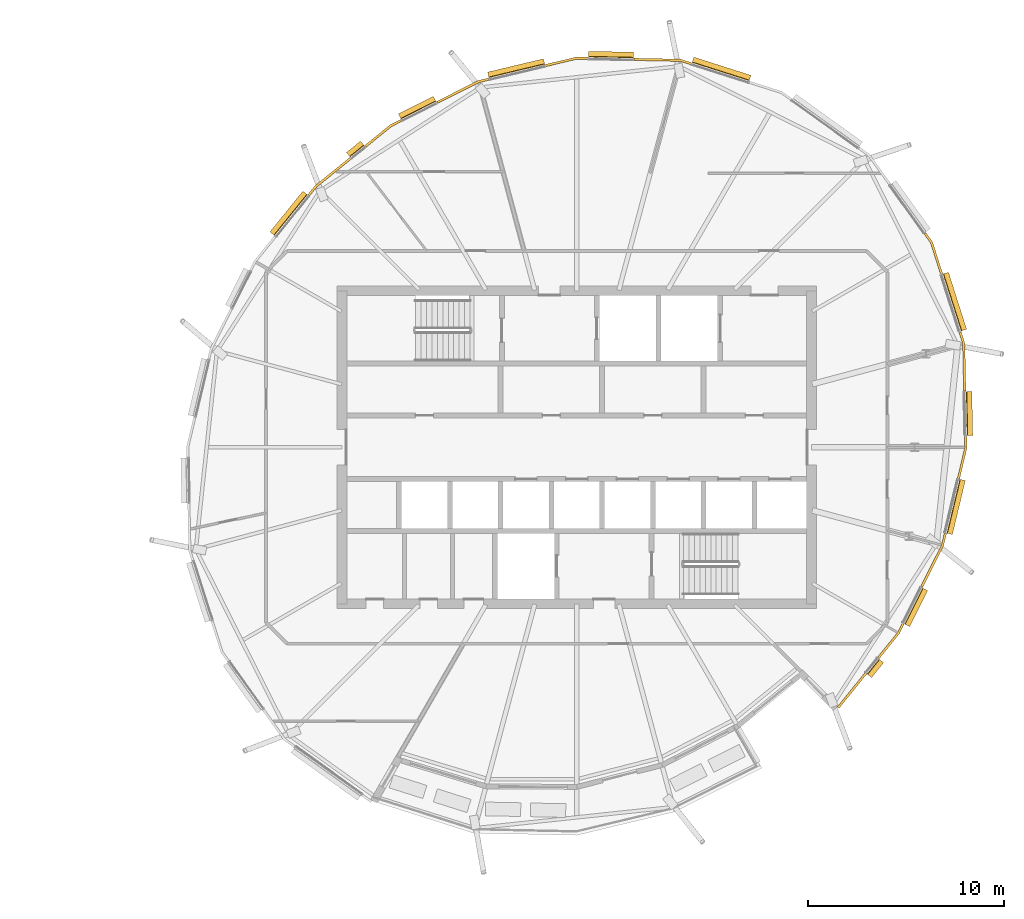
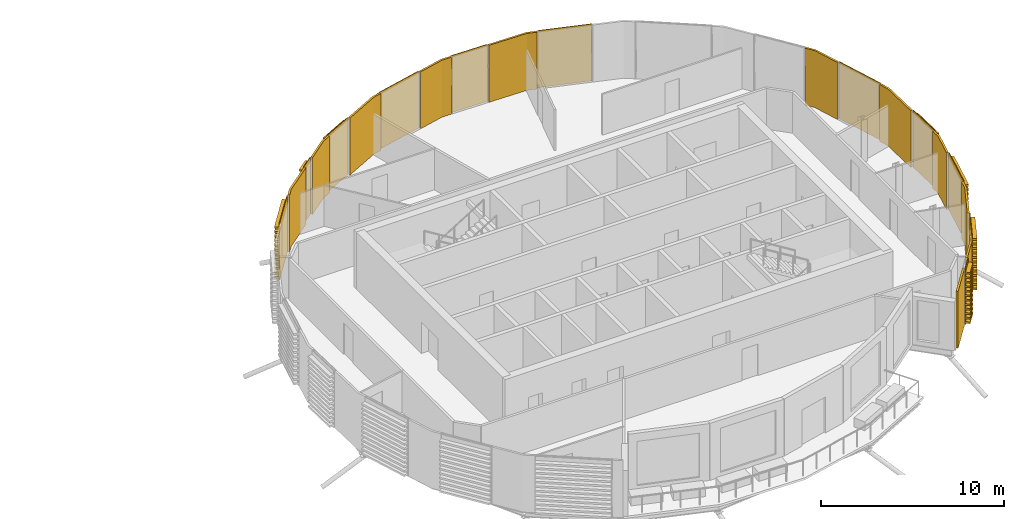
# One storey, part 39 of 41: 22 coverings.
"""IFC4 building model written with IfcOpenShell, lengths in metres."""

import ifcopenshell
import ifcopenshell.guid

model = None  # the IFC model being written
_history = None  # IfcOwnerHistory: only IFC2X3 demands one
_inside = {}  # id of a spatial element -> (the spatial element, [elements in it])
_under = {}  # id of a project, library or spatial element -> (it, [spatial elements below it])
_declared = {}  # id of a project -> (the project, [libraries it declares])
_typed = {}  # id of a type object -> (the type object, [elements of that type])
_made_of = {}  # id of a material, layer set ... -> (it, [elements and type objects made of it])


def new_model(schema):
    """Start an empty IFC model of exactly this schema.

    Asked for "IFC4X3", IfcOpenShell would pick the latest addendum, in which some entities
    have other attributes; the version numbers below select the first issue.
    IFC2X3 requires an IfcOwnerHistory on every rooted entity: one is made here for all.
    """
    global model, _history
    if schema == "IFC4X3":
        model = ifcopenshell.file(schema_version=(4, 3, 0, 0))
    else:
        model = ifcopenshell.file(schema=schema)
    _inside.clear()
    _under.clear()
    _declared.clear()
    _typed.clear()
    _made_of.clear()
    _history = None
    if model.schema == "IFC2X3":
        org = make("IfcOrganization", Name="unknown")
        user = make(
            "IfcPersonAndOrganization",
            ThePerson=make("IfcPerson", FamilyName="unknown"),
            TheOrganization=org,
        )
        app = make(
            "IfcApplication",
            ApplicationDeveloper=org,
            Version="unknown",
            ApplicationFullName="unknown",
            ApplicationIdentifier="unknown",
        )
        _history = make(
            "IfcOwnerHistory",
            OwningUser=user,
            OwningApplication=app,
            ChangeAction="ADDED",
            CreationDate=0,
        )
    return model


def make(cls, **values):
    """One entity of the class cls with the attributes given. An attribute that is None is left unset."""
    return model.create_entity(
        cls, **{name: value for name, value in values.items() if value is not None}
    )


def rooted(cls, **values):
    """An entity with a GlobalId (a new one), such as an element, a storey or a relation."""
    return make(cls, GlobalId=ifcopenshell.guid.new(), OwnerHistory=_history, **values)


def si_unit(unit_type, name, prefix=None):
    """IfcSIUnit, for example si_unit("LENGTHUNIT", "METRE", prefix="MILLI")."""
    return make("IfcSIUnit", UnitType=unit_type, Prefix=prefix, Name=name)


def assignment(units):
    """IfcUnitAssignment: the units of a project."""
    return None if units is None else make("IfcUnitAssignment", Units=units)


def point(xyz):
    """IfcCartesianPoint."""
    return None if xyz is None else make("IfcCartesianPoint", Coordinates=xyz)


def direction(xyz):
    """IfcDirection."""
    return None if xyz is None else make("IfcDirection", DirectionRatios=xyz)


def frame(location, z_axis=None, x_axis=None):
    """IfcAxis2Placement3D, a coordinate frame: its origin and axes. An axis left out is left unset."""
    return make(
        "IfcAxis2Placement3D",
        Location=point(location),
        Axis=direction(z_axis),
        RefDirection=direction(x_axis),
    )


def origin():
    """The frame at (0, 0, 0) with its axes left unset."""
    return frame((0.0, 0.0, 0.0))


def place(relative_to, where):
    """IfcLocalPlacement: puts the frame where relative to a parent placement (None: the world)."""
    return make(
        "IfcLocalPlacement", PlacementRelTo=relative_to, RelativePlacement=where
    )


def context(
    kind, dimensions, precision=None, world=None, true_north=None, identifier=None
):
    """IfcGeometricRepresentationContext, for example the 3D "Model" context."""
    return make(
        "IfcGeometricRepresentationContext",
        ContextIdentifier=identifier,
        ContextType=kind,
        CoordinateSpaceDimension=dimensions,
        Precision=precision,
        WorldCoordinateSystem=world,
        TrueNorth=true_north,
    )


def subcontext(parent, identifier, kind, view, scale=None):
    """IfcGeometricRepresentationSubContext, for example "Body" below "Model"."""
    return make(
        "IfcGeometricRepresentationSubContext",
        ContextIdentifier=identifier,
        ContextType=kind,
        ParentContext=parent,
        TargetScale=scale,
        TargetView=view,
    )


def project(units=None, contexts=None):
    """IfcProject with its units and contexts."""
    return rooted(
        "IfcProject",
        Name="project",
        RepresentationContexts=contexts,
        UnitsInContext=assignment(units),
    )


def spatial(cls, under=None, at=None, **own):
    """A site, building, storey or space (cls), placed at a placement, below another one or the project."""
    s = rooted(cls, ObjectPlacement=at, **own)
    if under is not None:
        _under.setdefault(under.id(), (under, []))[1].append(s)
    return s


def polyline(points):
    """IfcPolyline through the points."""
    return make("IfcPolyline", Points=[point(p) for p in points])


def outline(outer, holes=None, kind="AREA"):
    """IfcArbitraryClosedProfileDef: a profile drawn as a closed curve; with holes, ...WithVoids."""
    if holes is None:
        return make("IfcArbitraryClosedProfileDef", ProfileType=kind, OuterCurve=outer)
    return make(
        "IfcArbitraryProfileDefWithVoids",
        ProfileType=kind,
        OuterCurve=outer,
        InnerCurves=holes,
    )


def extrude(swept, where, along, depth):
    """IfcExtrudedAreaSolid: the profile swept, set in the frame where, extruded along a direction by depth."""
    return make(
        "IfcExtrudedAreaSolid",
        SweptArea=swept,
        Position=where,
        ExtrudedDirection=direction(along),
        Depth=depth,
    )


def shape(context_of_items, identifier, shape_type, items):
    """IfcShapeRepresentation: the items that make up one representation, for example the "Body"."""
    return make(
        "IfcShapeRepresentation",
        ContextOfItems=context_of_items,
        RepresentationIdentifier=identifier,
        RepresentationType=shape_type,
        Items=items,
    )


def material(Name=None, Category=None):
    """IfcMaterial."""
    return make("IfcMaterial", Name=Name, Category=Category)


def layer(
    of_material, thickness, ventilated=None, Name=None, Category=None, Priority=None
):
    """IfcMaterialLayer: one layer of a wall or slab, of a material (None: an air gap)."""
    return make(
        "IfcMaterialLayer",
        Material=of_material,
        LayerThickness=thickness,
        IsVentilated=ventilated,
        Name=Name,
        Category=Category,
        Priority=Priority,
    )


def layer_set(layers, Name=None):
    """IfcMaterialLayerSet."""
    return make("IfcMaterialLayerSet", MaterialLayers=layers, LayerSetName=Name)


def material_profile(
    of_material, cross_section, Name=None, Category=None, Priority=None
):
    """IfcMaterialProfile: a cross section and its material."""
    return make(
        "IfcMaterialProfile",
        Name=Name,
        Material=of_material,
        Profile=cross_section,
        Priority=Priority,
        Category=Category,
    )


def profile_set(profiles, Name=None, composite=None):
    """IfcMaterialProfileSet."""
    return make(
        "IfcMaterialProfileSet",
        Name=Name,
        MaterialProfiles=profiles,
        CompositeProfile=composite,
    )


def made_of(thing, what):
    """Note that an element or type object is made of a material, layer set ...; save() writes the relation."""
    if what is not None:
        _made_of.setdefault(what.id(), (what, []))[1].append(thing)
    return thing


def type_object(cls, material=None, **own):
    """A type object (cls), such as IfcWallType, which elements share."""
    return made_of(rooted(cls, **own), material)


def element(
    cls,
    number,
    at=None,
    inside=None,
    cuts=None,
    type_object=None,
    material=None,
    context=None,
    identifier="Body",
    shape_type=None,
    held_by="IfcProductDefinitionShape",
    body=None,
    shapes=None,
    **own,
):
    """One element of the class cls, such as IfcWall. Its Tag is "e" and its number.

    at: its placement. inside: the storey or other place that contains it. cuts: it is an
    opening in that element (IfcRelVoidsElement). A single representation is given by context,
    identifier, shape_type and body (its items); several are given by shapes. held_by: the class
    of the entity that holds the representations. save() writes the other relations.
    """
    e = rooted(cls, Tag="e%d" % number, ObjectPlacement=at, **own)
    if body is not None:
        shapes = [shape(context, identifier, shape_type, body)]
    if shapes is not None:
        e.Representation = make(held_by, Representations=shapes)
    if inside is not None:
        _inside.setdefault(inside.id(), (inside, []))[1].append(e)
    if cuts is not None:
        rooted(
            "IfcRelVoidsElement", RelatingBuildingElement=cuts, RelatedOpeningElement=e
        )
    if type_object is not None:
        _typed.setdefault(type_object.id(), (type_object, []))[1].append(e)
    return made_of(e, material)


def aggregate(whole, parts):
    """IfcRelAggregates: a whole, such as a stair, and the parts it consists of."""
    return rooted("IfcRelAggregates", RelatingObject=whole, RelatedObjects=parts)


def save(model, path):
    """Write the relations noted so far, then the file.

    IfcRelAggregates (storeys below a building ...), IfcRelContainedInSpatialStructure (elements
    in a storey), IfcRelDefinesByType, IfcRelAssociatesMaterial and IfcRelDeclares: one each for
    every whole, place, type object, material and project.
    """
    for whole, parts in _under.values():
        aggregate(whole, parts)
    for where, things in _inside.values():
        rooted(
            "IfcRelContainedInSpatialStructure",
            RelatedElements=things,
            RelatingStructure=where,
        )
    for kind, things in _typed.values():
        rooted("IfcRelDefinesByType", RelatedObjects=things, RelatingType=kind)
    for what, things in _made_of.values():
        rooted("IfcRelAssociatesMaterial", RelatedObjects=things, RelatingMaterial=what)
    for by, libraries in _declared.values():
        rooted("IfcRelDeclares", RelatingContext=by, RelatedDefinitions=libraries)
    model.write(path)


model = new_model("IFC4")

# Units and contexts
model_context = context("Model", 3, precision=1e-05, world=origin(), true_north=direction((0.0, 1.0)))
body_context = subcontext(model_context, "Body", "Model", "MODEL_VIEW")
ifc_project = project(units=[si_unit("LENGTHUNIT", "METRE"), si_unit("AREAUNIT", "SQUARE_METRE"), si_unit("VOLUMEUNIT", "CUBIC_METRE"), si_unit("PLANEANGLEUNIT", "RADIAN"), si_unit("MASSUNIT", "GRAM", prefix="KILO")], contexts=[model_context])

# Site, building, storey
site_placement = place(None, origin())
site = spatial("IfcSite", under=ifc_project, at=site_placement, CompositionType="ELEMENT")
building_placement = place(site_placement, origin())
building = spatial("IfcBuilding", under=site, at=building_placement, Name="Rimbun Link Towers", CompositionType="ELEMENT")
storey_placement = place(building_placement, frame((0.0, 0.0, 210.5)))
storey = spatial("IfcBuildingStorey", under=building, at=storey_placement, Name="L51", CompositionType="ELEMENT", Elevation=210.5)

# Coverings
ifc_material_1 = material(Name="Terracotta", Category="masonry")
ifc_layer = layer(ifc_material_1, 0.1201171875)
ifc_layer_set = layer_set([ifc_layer], Name="LINK PIER terracotta cladding 120")
covering_type_1 = type_object("IfcCoveringType", Name="LINK PIER terracotta cladding 120", PredefinedType="CLADDING", material=ifc_layer_set)
covering_1_placement = place(storey_placement, origin())
element("IfcCovering", 1, at=covering_1_placement, inside=storey, type_object=covering_type_1, Name="LINK PIER cladding", PredefinedType="CLADDING", context=body_context, shape_type="SweptSolid", body=[
    extrude(outline(polyline([(34.665771484375, 19.77490234375), (37.035400390625, 19.72509765625), (37.57861328125, 19.55224609375), (37.61474609375, 19.66650390625), (37.05517578125, 19.8447265625), (34.66845703125, 19.894775390625), (34.665771484375, 19.77490234375)])), origin(), (0.0, 0.0, 1.0), 3.800048828125),
])
covering_2_placement = place(storey_placement, origin())
element("IfcCovering", 2, at=covering_2_placement, inside=storey, type_object=covering_type_1, Name="LINK PIER cladding", PredefinedType="CLADDING", context=body_context, shape_type="SweptSolid", body=[
    extrude(outline(polyline([(30.17431640625, 19.45947265625), (31.75, 19.836181640625), (32.31982421875, 19.82421875), (32.322509765625, 19.9443359375), (31.737060546875, 19.95654296875), (30.146484375, 19.576171875), (30.17431640625, 19.45947265625)])), origin(), (0.0, 0.0, 1.0), 3.800048828125),
])
covering_3_placement = place(storey_placement, origin())
element("IfcCovering", 3, at=covering_3_placement, inside=storey, type_object=covering_type_1, Name="LINK PIER cladding", PredefinedType="CLADDING", context=body_context, shape_type="SweptSolid", body=[
    extrude(outline(polyline([(24.636962890625, 17.578125), (26.7548828125, 18.6416015625), (27.2607421875, 18.7626953125), (27.23291015625, 18.87939453125), (26.713623046875, 18.755126953125), (24.583251953125, 17.685302734375), (24.636962890625, 17.578125)])), origin(), (0.0, 0.0, 1.0), 3.800048828125),
])
covering_4_placement = place(storey_placement, origin())
element("IfcCovering", 4, at=covering_4_placement, inside=storey, type_object=covering_type_1, Name="LINK PIER cladding", PredefinedType="CLADDING", context=body_context, shape_type="SweptSolid", body=[
    extrude(outline(polyline([(20.985595703125, 15.345703125), (22.28369140625, 16.396240234375), (22.79296875, 16.652099609375), (22.739013671875, 16.75927734375), (22.21826171875, 16.497802734375), (20.91015625, 15.43896484375), (20.985595703125, 15.345703125)])), origin(), (0.0, 0.0, 1.0), 3.800048828125),
])
covering_5_placement = place(storey_placement, origin())
element("IfcCovering", 5, at=covering_5_placement, inside=storey, type_object=covering_type_1, Name="LINK PIER cladding", PredefinedType="CLADDING", context=body_context, shape_type="SweptSolid", body=[
    extrude(outline(polyline([(18.09521484375, 12.853271484375), (18.453857421875, 13.296142578125), (20.21826171875, 14.724365234375), (20.142578125, 14.817626953125), (18.368408203125, 13.381591796875), (18.001953125, 12.9287109375), (18.09521484375, 12.853271484375)])), origin(), (0.0, 0.0, 1.0), 3.800048828125),
])
covering_6_placement = place(storey_placement, origin())
element("IfcCovering", 6, at=covering_6_placement, inside=storey, type_object=covering_type_1, Name="LINK PIER cladding", PredefinedType="CLADDING", context=body_context, shape_type="SweptSolid", body=[
    extrude(outline(polyline([(46.474365234375, -11.53173828125), (45.065185546875, -13.27294921875), (45.158447265625, -13.348388671875), (46.567626953125, -11.607421875), (46.474365234375, -11.53173828125)])), origin(), (0.0, 0.0, 1.0), 3.800048828125),
])
covering_7_placement = place(storey_placement, origin())
element("IfcCovering", 7, at=covering_7_placement, inside=storey, type_object=covering_type_1, Name="LINK PIER cladding", PredefinedType="CLADDING", context=body_context, shape_type="SweptSolid", body=[
    extrude(outline(polyline([(48.379638671875, -9.001708984375), (48.146240234375, -9.46630859375), (47.126953125, -10.7255859375), (47.22021484375, -10.801025390625), (48.247802734375, -9.53173828125), (48.48681640625, -9.0556640625), (48.379638671875, -9.001708984375)])), origin(), (0.0, 0.0, 1.0), 3.800048828125),
])
covering_8_placement = place(storey_placement, origin())
element("IfcCovering", 8, at=covering_8_placement, inside=storey, type_object=covering_type_1, Name="LINK PIER cladding", PredefinedType="CLADDING", context=body_context, shape_type="SweptSolid", body=[
    extrude(outline(polyline([(50.535888671875, -4.39208984375), (50.3916015625, -4.9951171875), (49.328125, -7.113037109375), (49.435302734375, -7.166748046875), (50.505126953125, -5.036376953125), (50.652587890625, -4.419921875), (50.535888671875, -4.39208984375)])), origin(), (0.0, 0.0, 1.0), 3.800048828125),
])
covering_9_placement = place(storey_placement, origin())
element("IfcCovering", 9, at=covering_9_placement, inside=storey, type_object=covering_type_1, Name="LINK PIER cladding", PredefinedType="CLADDING", context=body_context, shape_type="SweptSolid", body=[
    extrude(outline(polyline([(51.57421875, 0.56982421875), (51.586181640625, 0.0), (51.20947265625, -1.57568359375), (51.326171875, -1.603515625), (51.70654296875, -0.012939453125), (51.6943359375, 0.572509765625), (51.57421875, 0.56982421875)])), origin(), (0.0, 0.0, 1.0), 3.800048828125),
])
covering_10_placement = place(storey_placement, origin())
element("IfcCovering", 10, at=covering_10_placement, inside=storey, type_object=covering_type_1, Name="LINK PIER cladding", PredefinedType="CLADDING", context=body_context, shape_type="SweptSolid", body=[
    extrude(outline(polyline([(51.287109375, 5.876220703125), (51.47509765625, 5.285400390625), (51.52587890625, 2.86572265625), (51.64599609375, 2.868408203125), (51.5947265625, 5.30517578125), (51.4013671875, 5.91259765625), (51.287109375, 5.876220703125)])), origin(), (0.0, 0.0, 1.0), 3.800048828125),
])
covering_11_placement = place(storey_placement, origin())
element("IfcCovering", 11, at=covering_11_placement, inside=storey, type_object=covering_type_1, Name="LINK PIER cladding", PredefinedType="CLADDING", context=body_context, shape_type="SweptSolid", body=[
    extrude(outline(polyline([(49.5029296875, 10.904541015625), (49.835205078125, 10.44140625), (50.34130859375, 8.85009765625), (50.45556640625, 8.886474609375), (49.94384765625, 10.49609375), (49.600341796875, 10.974609375), (49.5029296875, 10.904541015625)])), origin(), (0.0, 0.0, 1.0), 3.800048828125),
])
ifc_material_2 = material(Name="Terracotta", Category="masonry")
ifc_material_profile = material_profile(ifc_material_2, outline(polyline([(0.123046875, 0.0), (0.1630859375, 0.0), (0.1630859375, 0.10009765625), (0.423095703125, 0.10009765625), (0.423095703125, 0.219970703125), (0.1630859375, 0.219970703125), (0.1630859375, 0.39990234375), (0.423095703125, 0.39990234375), (0.423095703125, 0.52001953125), (0.1630859375, 0.52001953125), (0.1630859375, 0.699951171875), (0.423095703125, 0.699951171875), (0.423095703125, 0.820068359375), (0.1630859375, 0.820068359375), (0.1630859375, 1.0), (0.423095703125, 1.0), (0.423095703125, 1.1201171875), (0.1630859375, 1.1201171875), (0.1630859375, 1.300048828125), (0.423095703125, 1.300048828125), (0.423095703125, 1.419921875), (0.1630859375, 1.419921875), (0.1630859375, 1.60009765625), (0.423095703125, 1.60009765625), (0.423095703125, 1.719970703125), (0.1630859375, 1.719970703125), (0.1630859375, 1.89990234375), (0.423095703125, 1.89990234375), (0.423095703125, 2.02001953125), (0.1630859375, 2.02001953125), (0.1630859375, 2.199951171875), (0.423095703125, 2.199951171875), (0.423095703125, 2.320068359375), (0.1630859375, 2.320068359375), (0.1630859375, 2.5), (0.423095703125, 2.5), (0.423095703125, 2.6201171875), (0.1630859375, 2.6201171875), (0.1630859375, 2.800048828125), (0.423095703125, 2.800048828125), (0.423095703125, 2.919921875), (0.1630859375, 2.919921875), (0.1630859375, 3.10009765625), (0.423095703125, 3.10009765625), (0.423095703125, 3.219970703125), (0.1630859375, 3.219970703125), (0.1630859375, 3.39990234375), (0.423095703125, 3.39990234375), (0.423095703125, 3.52001953125), (0.1630859375, 3.52001953125), (0.1630859375, 3.800048828125), (0.123046875, 3.800048828125), (0.123046875, 0.0)])), Name="BAGUETTE 120X300")
ifc_profile_set = profile_set([ifc_material_profile], Name="Terracotta")
covering_type_2 = type_object("IfcCoveringType", Name="TERRACOTTA BAGUETTE 120X300 H3800", PredefinedType="CLADDING", material=ifc_profile_set)
covering_12_placement = place(storey_placement, frame((37.607177734375, 19.543212890625, 0.0), z_axis=(0.952956154888, -0.303108176829, 0.0), x_axis=(0.303108176829, 0.952956154888, 0.0)))
element("IfcCovering", 12, at=covering_12_placement, inside=storey, type_object=covering_type_2, Name="TERRACOTTA BAGUETTE", PredefinedType="CLADDING", context=body_context, shape_type="SweptSolid", body=[
    extrude(outline(polyline([(0.123046875, 0.0), (0.1630859375, 0.0), (0.1630859375, 0.10009765625), (0.423095703125, 0.10009765625), (0.423095703125, 0.219970703125), (0.1630859375, 0.219970703125), (0.1630859375, 0.39990234375), (0.423095703125, 0.39990234375), (0.423095703125, 0.52001953125), (0.1630859375, 0.52001953125), (0.1630859375, 0.699951171875), (0.423095703125, 0.699951171875), (0.423095703125, 0.820068359375), (0.1630859375, 0.820068359375), (0.1630859375, 1.0), (0.423095703125, 1.0), (0.423095703125, 1.1201171875), (0.1630859375, 1.1201171875), (0.1630859375, 1.300048828125), (0.423095703125, 1.300048828125), (0.423095703125, 1.419921875), (0.1630859375, 1.419921875), (0.1630859375, 1.60009765625), (0.423095703125, 1.60009765625), (0.423095703125, 1.719970703125), (0.1630859375, 1.719970703125), (0.1630859375, 1.89990234375), (0.423095703125, 1.89990234375), (0.423095703125, 2.02001953125), (0.1630859375, 2.02001953125), (0.1630859375, 2.199951171875), (0.423095703125, 2.199951171875), (0.423095703125, 2.320068359375), (0.1630859375, 2.320068359375), (0.1630859375, 2.5), (0.423095703125, 2.5), (0.423095703125, 2.6201171875), (0.1630859375, 2.6201171875), (0.1630859375, 2.800048828125), (0.423095703125, 2.800048828125), (0.423095703125, 2.919921875), (0.1630859375, 2.919921875), (0.1630859375, 3.10009765625), (0.423095703125, 3.10009765625), (0.423095703125, 3.219970703125), (0.1630859375, 3.219970703125), (0.1630859375, 3.39990234375), (0.423095703125, 3.39990234375), (0.423095703125, 3.52001953125), (0.1630859375, 3.52001953125), (0.1630859375, 3.800048828125), (0.123046875, 3.800048828125), (0.123046875, 0.0)])), origin(), (0.0, 0.0, 1.0), 3.060791015625),
])
covering_13_placement = place(storey_placement, frame((32.349853515625, 19.82373046875, 0.0), z_axis=(0.999778727091, -0.021035609232, 0.0), x_axis=(0.021035609232, 0.999778727091, 0.0)))
element("IfcCovering", 13, at=covering_13_placement, inside=storey, type_object=covering_type_2, Name="TERRACOTTA BAGUETTE", PredefinedType="CLADDING", context=body_context, shape_type="SweptSolid", body=[
    extrude(outline(polyline([(0.123046875, 0.0), (0.1630859375, 0.0), (0.1630859375, 0.10009765625), (0.423095703125, 0.10009765625), (0.423095703125, 0.219970703125), (0.1630859375, 0.219970703125), (0.1630859375, 0.39990234375), (0.423095703125, 0.39990234375), (0.423095703125, 0.52001953125), (0.1630859375, 0.52001953125), (0.1630859375, 0.699951171875), (0.423095703125, 0.699951171875), (0.423095703125, 0.820068359375), (0.1630859375, 0.820068359375), (0.1630859375, 1.0), (0.423095703125, 1.0), (0.423095703125, 1.1201171875), (0.1630859375, 1.1201171875), (0.1630859375, 1.300048828125), (0.423095703125, 1.300048828125), (0.423095703125, 1.419921875), (0.1630859375, 1.419921875), (0.1630859375, 1.60009765625), (0.423095703125, 1.60009765625), (0.423095703125, 1.719970703125), (0.1630859375, 1.719970703125), (0.1630859375, 1.89990234375), (0.423095703125, 1.89990234375), (0.423095703125, 2.02001953125), (0.1630859375, 2.02001953125), (0.1630859375, 2.199951171875), (0.423095703125, 2.199951171875), (0.423095703125, 2.320068359375), (0.1630859375, 2.320068359375), (0.1630859375, 2.5), (0.423095703125, 2.5), (0.423095703125, 2.6201171875), (0.1630859375, 2.6201171875), (0.1630859375, 2.800048828125), (0.423095703125, 2.800048828125), (0.423095703125, 2.919921875), (0.1630859375, 2.919921875), (0.1630859375, 3.10009765625), (0.423095703125, 3.10009765625), (0.423095703125, 3.219970703125), (0.1630859375, 3.219970703125), (0.1630859375, 3.39990234375), (0.423095703125, 3.39990234375), (0.423095703125, 3.52001953125), (0.1630859375, 3.52001953125), (0.1630859375, 3.800048828125), (0.123046875, 3.800048828125), (0.123046875, 0.0)])), origin(), (0.0, 0.0, 1.0), 2.286376953125),
])
covering_14_placement = place(storey_placement, frame((27.289794921875, 18.76953125, 0.0), z_axis=(0.972576438223, 0.232583472786, 0.0), x_axis=(-0.232583472786, 0.972576438223, 0.0)))
element("IfcCovering", 14, at=covering_14_placement, inside=storey, type_object=covering_type_2, Name="TERRACOTTA BAGUETTE", PredefinedType="CLADDING", context=body_context, shape_type="SweptSolid", body=[
    extrude(outline(polyline([(0.123046875, 0.0), (0.1630859375, 0.0), (0.1630859375, 0.10009765625), (0.423095703125, 0.10009765625), (0.423095703125, 0.219970703125), (0.1630859375, 0.219970703125), (0.1630859375, 0.39990234375), (0.423095703125, 0.39990234375), (0.423095703125, 0.52001953125), (0.1630859375, 0.52001953125), (0.1630859375, 0.699951171875), (0.423095703125, 0.699951171875), (0.423095703125, 0.820068359375), (0.1630859375, 0.820068359375), (0.1630859375, 1.0), (0.423095703125, 1.0), (0.423095703125, 1.1201171875), (0.1630859375, 1.1201171875), (0.1630859375, 1.300048828125), (0.423095703125, 1.300048828125), (0.423095703125, 1.419921875), (0.1630859375, 1.419921875), (0.1630859375, 1.60009765625), (0.423095703125, 1.60009765625), (0.423095703125, 1.719970703125), (0.1630859375, 1.719970703125), (0.1630859375, 1.89990234375), (0.423095703125, 1.89990234375), (0.423095703125, 2.02001953125), (0.1630859375, 2.02001953125), (0.1630859375, 2.199951171875), (0.423095703125, 2.199951171875), (0.423095703125, 2.320068359375), (0.1630859375, 2.320068359375), (0.1630859375, 2.5), (0.423095703125, 2.5), (0.423095703125, 2.6201171875), (0.1630859375, 2.6201171875), (0.1630859375, 2.800048828125), (0.423095703125, 2.800048828125), (0.423095703125, 2.919921875), (0.1630859375, 2.919921875), (0.1630859375, 3.10009765625), (0.423095703125, 3.10009765625), (0.423095703125, 3.219970703125), (0.1630859375, 3.219970703125), (0.1630859375, 3.39990234375), (0.423095703125, 3.39990234375), (0.423095703125, 3.52001953125), (0.1630859375, 3.52001953125), (0.1630859375, 3.800048828125), (0.123046875, 3.800048828125), (0.123046875, 0.0)])), origin(), (0.0, 0.0, 1.0), 2.93603515625),
])
covering_15_placement = place(storey_placement, frame((22.81982421875, 16.66552734375, 0.0), z_axis=(0.893645992803, 0.448772592241, 0.0), x_axis=(-0.448772592241, 0.893645992803, 0.0)))
element("IfcCovering", 15, at=covering_15_placement, inside=storey, type_object=covering_type_2, Name="TERRACOTTA BAGUETTE", PredefinedType="CLADDING", context=body_context, shape_type="SweptSolid", body=[
    extrude(outline(polyline([(0.123046875, 0.0), (0.1630859375, 0.0), (0.1630859375, 0.10009765625), (0.423095703125, 0.10009765625), (0.423095703125, 0.219970703125), (0.1630859375, 0.219970703125), (0.1630859375, 0.39990234375), (0.423095703125, 0.39990234375), (0.423095703125, 0.52001953125), (0.1630859375, 0.52001953125), (0.1630859375, 0.699951171875), (0.423095703125, 0.699951171875), (0.423095703125, 0.820068359375), (0.1630859375, 0.820068359375), (0.1630859375, 1.0), (0.423095703125, 1.0), (0.423095703125, 1.1201171875), (0.1630859375, 1.1201171875), (0.1630859375, 1.300048828125), (0.423095703125, 1.300048828125), (0.423095703125, 1.419921875), (0.1630859375, 1.419921875), (0.1630859375, 1.60009765625), (0.423095703125, 1.60009765625), (0.423095703125, 1.719970703125), (0.1630859375, 1.719970703125), (0.1630859375, 1.89990234375), (0.423095703125, 1.89990234375), (0.423095703125, 2.02001953125), (0.1630859375, 2.02001953125), (0.1630859375, 2.199951171875), (0.423095703125, 2.199951171875), (0.423095703125, 2.320068359375), (0.1630859375, 2.320068359375), (0.1630859375, 2.5), (0.423095703125, 2.5), (0.423095703125, 2.6201171875), (0.1630859375, 2.6201171875), (0.1630859375, 2.800048828125), (0.423095703125, 2.800048828125), (0.423095703125, 2.919921875), (0.1630859375, 2.919921875), (0.1630859375, 3.10009765625), (0.423095703125, 3.10009765625), (0.423095703125, 3.219970703125), (0.1630859375, 3.219970703125), (0.1630859375, 3.39990234375), (0.423095703125, 3.39990234375), (0.423095703125, 3.52001953125), (0.1630859375, 3.52001953125), (0.1630859375, 3.800048828125), (0.123046875, 3.800048828125), (0.123046875, 0.0)])), origin(), (0.0, 0.0, 1.0), 2.003662109375),
])
covering_16_placement = place(storey_placement, frame((20.241455078125, 14.743408203125, 0.0), z_axis=(0.777336845963, 0.629084595192, 0.0), x_axis=(-0.629084595192, 0.777336845963, 0.0)))
element("IfcCovering", 16, at=covering_16_placement, inside=storey, type_object=covering_type_2, Name="TERRACOTTA BAGUETTE", PredefinedType="CLADDING", context=body_context, shape_type="SweptSolid", body=[
    extrude(outline(polyline([(0.123046875, 0.0), (0.1630859375, 0.0), (0.1630859375, 0.10009765625), (0.423095703125, 0.10009765625), (0.423095703125, 0.219970703125), (0.1630859375, 0.219970703125), (0.1630859375, 0.39990234375), (0.423095703125, 0.39990234375), (0.423095703125, 0.52001953125), (0.1630859375, 0.52001953125), (0.1630859375, 0.699951171875), (0.423095703125, 0.699951171875), (0.423095703125, 0.820068359375), (0.1630859375, 0.820068359375), (0.1630859375, 1.0), (0.423095703125, 1.0), (0.423095703125, 1.1201171875), (0.1630859375, 1.1201171875), (0.1630859375, 1.300048828125), (0.423095703125, 1.300048828125), (0.423095703125, 1.419921875), (0.1630859375, 1.419921875), (0.1630859375, 1.60009765625), (0.423095703125, 1.60009765625), (0.423095703125, 1.719970703125), (0.1630859375, 1.719970703125), (0.1630859375, 1.89990234375), (0.423095703125, 1.89990234375), (0.423095703125, 2.02001953125), (0.1630859375, 2.02001953125), (0.1630859375, 2.199951171875), (0.423095703125, 2.199951171875), (0.423095703125, 2.320068359375), (0.1630859375, 2.320068359375), (0.1630859375, 2.5), (0.423095703125, 2.5), (0.423095703125, 2.6201171875), (0.1630859375, 2.6201171875), (0.1630859375, 2.800048828125), (0.423095703125, 2.800048828125), (0.423095703125, 2.919921875), (0.1630859375, 2.919921875), (0.1630859375, 3.10009765625), (0.423095703125, 3.10009765625), (0.423095703125, 3.219970703125), (0.1630859375, 3.219970703125), (0.1630859375, 3.39990234375), (0.423095703125, 3.39990234375), (0.423095703125, 3.52001953125), (0.1630859375, 3.52001953125), (0.1630859375, 3.800048828125), (0.123046875, 3.800048828125), (0.123046875, 0.0)])), origin(), (0.0, 0.0, 1.0), 0.92724609375),
])
covering_17_placement = place(storey_placement, frame((16.391845703125, 10.748779296875, 0.0), z_axis=(0.629177243373, 0.777261858335, 0.0), x_axis=(-0.777261858335, 0.629177243373, 0.0)))
element("IfcCovering", 17, at=covering_17_placement, inside=storey, type_object=covering_type_2, Name="TERRACOTTA BAGUETTE", PredefinedType="CLADDING", context=body_context, shape_type="SweptSolid", body=[
    extrude(outline(polyline([(0.123046875, 0.0), (0.1630859375, 0.0), (0.1630859375, 0.10009765625), (0.423095703125, 0.10009765625), (0.423095703125, 0.219970703125), (0.1630859375, 0.219970703125), (0.1630859375, 0.39990234375), (0.423095703125, 0.39990234375), (0.423095703125, 0.52001953125), (0.1630859375, 0.52001953125), (0.1630859375, 0.699951171875), (0.423095703125, 0.699951171875), (0.423095703125, 0.820068359375), (0.1630859375, 0.820068359375), (0.1630859375, 1.0), (0.423095703125, 1.0), (0.423095703125, 1.1201171875), (0.1630859375, 1.1201171875), (0.1630859375, 1.300048828125), (0.423095703125, 1.300048828125), (0.423095703125, 1.419921875), (0.1630859375, 1.419921875), (0.1630859375, 1.60009765625), (0.423095703125, 1.60009765625), (0.423095703125, 1.719970703125), (0.1630859375, 1.719970703125), (0.1630859375, 1.89990234375), (0.423095703125, 1.89990234375), (0.423095703125, 2.02001953125), (0.1630859375, 2.02001953125), (0.1630859375, 2.199951171875), (0.423095703125, 2.199951171875), (0.423095703125, 2.320068359375), (0.1630859375, 2.320068359375), (0.1630859375, 2.5), (0.423095703125, 2.5), (0.423095703125, 2.6201171875), (0.1630859375, 2.6201171875), (0.1630859375, 2.800048828125), (0.423095703125, 2.800048828125), (0.423095703125, 2.919921875), (0.1630859375, 2.919921875), (0.1630859375, 3.10009765625), (0.423095703125, 3.10009765625), (0.423095703125, 3.219970703125), (0.1630859375, 3.219970703125), (0.1630859375, 3.39990234375), (0.423095703125, 3.39990234375), (0.423095703125, 3.52001953125), (0.1630859375, 3.52001953125), (0.1630859375, 3.800048828125), (0.123046875, 3.800048828125), (0.123046875, 0.0)])), origin(), (0.0, 0.0, 1.0), 2.677490234375),
])
covering_18_placement = place(storey_placement, frame((47.108154296875, -10.748779296875, 0.0), z_axis=(-0.629011369329, -0.777396100617, 0.0), x_axis=(0.777396100617, -0.629011369329, 0.0)))
element("IfcCovering", 18, at=covering_18_placement, inside=storey, type_object=covering_type_2, Name="TERRACOTTA BAGUETTE", PredefinedType="CLADDING", context=body_context, shape_type="SweptSolid", body=[
    extrude(outline(polyline([(0.123046875, 0.0), (0.1630859375, 0.0), (0.1630859375, 0.10009765625), (0.423095703125, 0.10009765625), (0.423095703125, 0.219970703125), (0.1630859375, 0.219970703125), (0.1630859375, 0.39990234375), (0.423095703125, 0.39990234375), (0.423095703125, 0.52001953125), (0.1630859375, 0.52001953125), (0.1630859375, 0.699951171875), (0.423095703125, 0.699951171875), (0.423095703125, 0.820068359375), (0.1630859375, 0.820068359375), (0.1630859375, 1.0), (0.423095703125, 1.0), (0.423095703125, 1.1201171875), (0.1630859375, 1.1201171875), (0.1630859375, 1.300048828125), (0.423095703125, 1.300048828125), (0.423095703125, 1.419921875), (0.1630859375, 1.419921875), (0.1630859375, 1.60009765625), (0.423095703125, 1.60009765625), (0.423095703125, 1.719970703125), (0.1630859375, 1.719970703125), (0.1630859375, 1.89990234375), (0.423095703125, 1.89990234375), (0.423095703125, 2.02001953125), (0.1630859375, 2.02001953125), (0.1630859375, 2.199951171875), (0.423095703125, 2.199951171875), (0.423095703125, 2.320068359375), (0.1630859375, 2.320068359375), (0.1630859375, 2.5), (0.423095703125, 2.5), (0.423095703125, 2.6201171875), (0.1630859375, 2.6201171875), (0.1630859375, 2.800048828125), (0.423095703125, 2.800048828125), (0.423095703125, 2.919921875), (0.1630859375, 2.919921875), (0.1630859375, 3.10009765625), (0.423095703125, 3.10009765625), (0.423095703125, 3.219970703125), (0.1630859375, 3.219970703125), (0.1630859375, 3.39990234375), (0.423095703125, 3.39990234375), (0.423095703125, 3.52001953125), (0.1630859375, 3.52001953125), (0.1630859375, 3.800048828125), (0.123046875, 3.800048828125), (0.123046875, 0.0)])), origin(), (0.0, 0.0, 1.0), 0.977294921875),
])
covering_19_placement = place(storey_placement, frame((49.314697265625, -7.1396484375, 0.0), z_axis=(-0.448782158718, -0.89364118863, 0.0), x_axis=(0.89364118863, -0.448782158718, 0.0)))
element("IfcCovering", 19, at=covering_19_placement, inside=storey, type_object=covering_type_2, Name="TERRACOTTA BAGUETTE", PredefinedType="CLADDING", context=body_context, shape_type="SweptSolid", body=[
    extrude(outline(polyline([(0.123046875, 0.0), (0.1630859375, 0.0), (0.1630859375, 0.10009765625), (0.423095703125, 0.10009765625), (0.423095703125, 0.219970703125), (0.1630859375, 0.219970703125), (0.1630859375, 0.39990234375), (0.423095703125, 0.39990234375), (0.423095703125, 0.52001953125), (0.1630859375, 0.52001953125), (0.1630859375, 0.699951171875), (0.423095703125, 0.699951171875), (0.423095703125, 0.820068359375), (0.1630859375, 0.820068359375), (0.1630859375, 1.0), (0.423095703125, 1.0), (0.423095703125, 1.1201171875), (0.1630859375, 1.1201171875), (0.1630859375, 1.300048828125), (0.423095703125, 1.300048828125), (0.423095703125, 1.419921875), (0.1630859375, 1.419921875), (0.1630859375, 1.60009765625), (0.423095703125, 1.60009765625), (0.423095703125, 1.719970703125), (0.1630859375, 1.719970703125), (0.1630859375, 1.89990234375), (0.423095703125, 1.89990234375), (0.423095703125, 2.02001953125), (0.1630859375, 2.02001953125), (0.1630859375, 2.199951171875), (0.423095703125, 2.199951171875), (0.423095703125, 2.320068359375), (0.1630859375, 2.320068359375), (0.1630859375, 2.5), (0.423095703125, 2.5), (0.423095703125, 2.6201171875), (0.1630859375, 2.6201171875), (0.1630859375, 2.800048828125), (0.423095703125, 2.800048828125), (0.423095703125, 2.919921875), (0.1630859375, 2.919921875), (0.1630859375, 3.10009765625), (0.423095703125, 3.10009765625), (0.423095703125, 3.219970703125), (0.1630859375, 3.219970703125), (0.1630859375, 3.39990234375), (0.423095703125, 3.39990234375), (0.423095703125, 3.52001953125), (0.1630859375, 3.52001953125), (0.1630859375, 3.800048828125), (0.123046875, 3.800048828125), (0.123046875, 0.0)])), origin(), (0.0, 0.0, 1.0), 2.0537109375),
])
covering_20_placement = place(storey_placement, frame((51.202392578125, -1.604736328125, 0.0), z_axis=(-0.232536035839, -0.972587781147, 0.0), x_axis=(0.972587781147, -0.232536035839, 0.0)))
element("IfcCovering", 20, at=covering_20_placement, inside=storey, type_object=covering_type_2, Name="TERRACOTTA BAGUETTE", PredefinedType="CLADDING", context=body_context, shape_type="SweptSolid", body=[
    extrude(outline(polyline([(0.123046875, 0.0), (0.1630859375, 0.0), (0.1630859375, 0.10009765625), (0.423095703125, 0.10009765625), (0.423095703125, 0.219970703125), (0.1630859375, 0.219970703125), (0.1630859375, 0.39990234375), (0.423095703125, 0.39990234375), (0.423095703125, 0.52001953125), (0.1630859375, 0.52001953125), (0.1630859375, 0.699951171875), (0.423095703125, 0.699951171875), (0.423095703125, 0.820068359375), (0.1630859375, 0.820068359375), (0.1630859375, 1.0), (0.423095703125, 1.0), (0.423095703125, 1.1201171875), (0.1630859375, 1.1201171875), (0.1630859375, 1.300048828125), (0.423095703125, 1.300048828125), (0.423095703125, 1.419921875), (0.1630859375, 1.419921875), (0.1630859375, 1.60009765625), (0.423095703125, 1.60009765625), (0.423095703125, 1.719970703125), (0.1630859375, 1.719970703125), (0.1630859375, 1.89990234375), (0.423095703125, 1.89990234375), (0.423095703125, 2.02001953125), (0.1630859375, 2.02001953125), (0.1630859375, 2.199951171875), (0.423095703125, 2.199951171875), (0.423095703125, 2.320068359375), (0.1630859375, 2.320068359375), (0.1630859375, 2.5), (0.423095703125, 2.5), (0.423095703125, 2.6201171875), (0.1630859375, 2.6201171875), (0.1630859375, 2.800048828125), (0.423095703125, 2.800048828125), (0.423095703125, 2.919921875), (0.1630859375, 2.919921875), (0.1630859375, 3.10009765625), (0.423095703125, 3.10009765625), (0.423095703125, 3.219970703125), (0.1630859375, 3.219970703125), (0.1630859375, 3.39990234375), (0.423095703125, 3.39990234375), (0.423095703125, 3.52001953125), (0.1630859375, 3.52001953125), (0.1630859375, 3.800048828125), (0.123046875, 3.800048828125), (0.123046875, 0.0)])), origin(), (0.0, 0.0, 1.0), 2.835693359375),
])
covering_21_placement = place(storey_placement, frame((51.526611328125, 2.8359375, 0.0), z_axis=(0.021067492604, -0.999778055748, 0.0), x_axis=(0.999778055748, 0.021067492604, 0.0)))
element("IfcCovering", 21, at=covering_21_placement, inside=storey, type_object=covering_type_2, Name="TERRACOTTA BAGUETTE", PredefinedType="CLADDING", context=body_context, shape_type="SweptSolid", body=[
    extrude(outline(polyline([(0.123046875, 0.0), (0.1630859375, 0.0), (0.1630859375, 0.10009765625), (0.423095703125, 0.10009765625), (0.423095703125, 0.219970703125), (0.1630859375, 0.219970703125), (0.1630859375, 0.39990234375), (0.423095703125, 0.39990234375), (0.423095703125, 0.52001953125), (0.1630859375, 0.52001953125), (0.1630859375, 0.699951171875), (0.423095703125, 0.699951171875), (0.423095703125, 0.820068359375), (0.1630859375, 0.820068359375), (0.1630859375, 1.0), (0.423095703125, 1.0), (0.423095703125, 1.1201171875), (0.1630859375, 1.1201171875), (0.1630859375, 1.300048828125), (0.423095703125, 1.300048828125), (0.423095703125, 1.419921875), (0.1630859375, 1.419921875), (0.1630859375, 1.60009765625), (0.423095703125, 1.60009765625), (0.423095703125, 1.719970703125), (0.1630859375, 1.719970703125), (0.1630859375, 1.89990234375), (0.423095703125, 1.89990234375), (0.423095703125, 2.02001953125), (0.1630859375, 2.02001953125), (0.1630859375, 2.199951171875), (0.423095703125, 2.199951171875), (0.423095703125, 2.320068359375), (0.1630859375, 2.320068359375), (0.1630859375, 2.5), (0.423095703125, 2.5), (0.423095703125, 2.6201171875), (0.1630859375, 2.6201171875), (0.1630859375, 2.800048828125), (0.423095703125, 2.800048828125), (0.423095703125, 2.919921875), (0.1630859375, 2.919921875), (0.1630859375, 3.10009765625), (0.423095703125, 3.10009765625), (0.423095703125, 3.219970703125), (0.1630859375, 3.219970703125), (0.1630859375, 3.39990234375), (0.423095703125, 3.39990234375), (0.423095703125, 3.52001953125), (0.1630859375, 3.52001953125), (0.1630859375, 3.800048828125), (0.123046875, 3.800048828125), (0.123046875, 0.0)])), origin(), (0.0, 0.0, 1.0), 2.236572265625),
])
covering_22_placement = place(storey_placement, frame((50.350341796875, 8.821533203125, 0.0), z_axis=(0.303108176829, -0.952956154888, 0.0), x_axis=(0.952956154888, 0.303108176829, 0.0)))
element("IfcCovering", 22, at=covering_22_placement, inside=storey, type_object=covering_type_2, Name="TERRACOTTA BAGUETTE", PredefinedType="CLADDING", context=body_context, shape_type="SweptSolid", body=[
    extrude(outline(polyline([(0.123046875, 0.0), (0.1630859375, 0.0), (0.1630859375, 0.10009765625), (0.423095703125, 0.10009765625), (0.423095703125, 0.219970703125), (0.1630859375, 0.219970703125), (0.1630859375, 0.39990234375), (0.423095703125, 0.39990234375), (0.423095703125, 0.52001953125), (0.1630859375, 0.52001953125), (0.1630859375, 0.699951171875), (0.423095703125, 0.699951171875), (0.423095703125, 0.820068359375), (0.1630859375, 0.820068359375), (0.1630859375, 1.0), (0.423095703125, 1.0), (0.423095703125, 1.1201171875), (0.1630859375, 1.1201171875), (0.1630859375, 1.300048828125), (0.423095703125, 1.300048828125), (0.423095703125, 1.419921875), (0.1630859375, 1.419921875), (0.1630859375, 1.60009765625), (0.423095703125, 1.60009765625), (0.423095703125, 1.719970703125), (0.1630859375, 1.719970703125), (0.1630859375, 1.89990234375), (0.423095703125, 1.89990234375), (0.423095703125, 2.02001953125), (0.1630859375, 2.02001953125), (0.1630859375, 2.199951171875), (0.423095703125, 2.199951171875), (0.423095703125, 2.320068359375), (0.1630859375, 2.320068359375), (0.1630859375, 2.5), (0.423095703125, 2.5), (0.423095703125, 2.6201171875), (0.1630859375, 2.6201171875), (0.1630859375, 2.800048828125), (0.423095703125, 2.800048828125), (0.423095703125, 2.919921875), (0.1630859375, 2.919921875), (0.1630859375, 3.10009765625), (0.423095703125, 3.10009765625), (0.423095703125, 3.219970703125), (0.1630859375, 3.219970703125), (0.1630859375, 3.39990234375), (0.423095703125, 3.39990234375), (0.423095703125, 3.52001953125), (0.1630859375, 3.52001953125), (0.1630859375, 3.800048828125), (0.123046875, 3.800048828125), (0.123046875, 0.0)])), origin(), (0.0, 0.0, 1.0), 3.060791015625),
])

save(model, "model.ifc")
